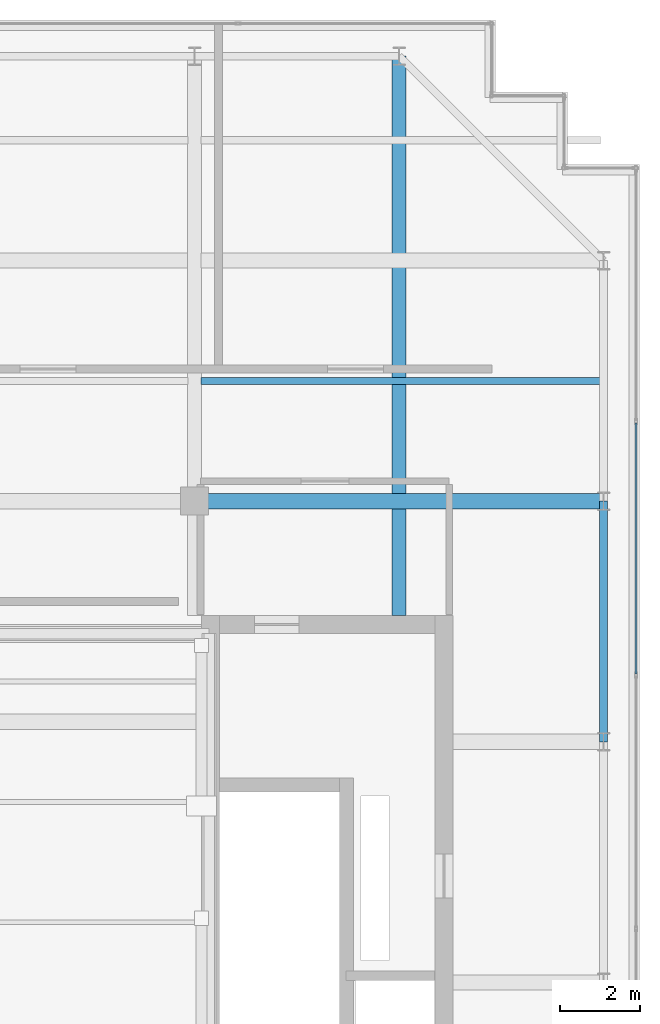
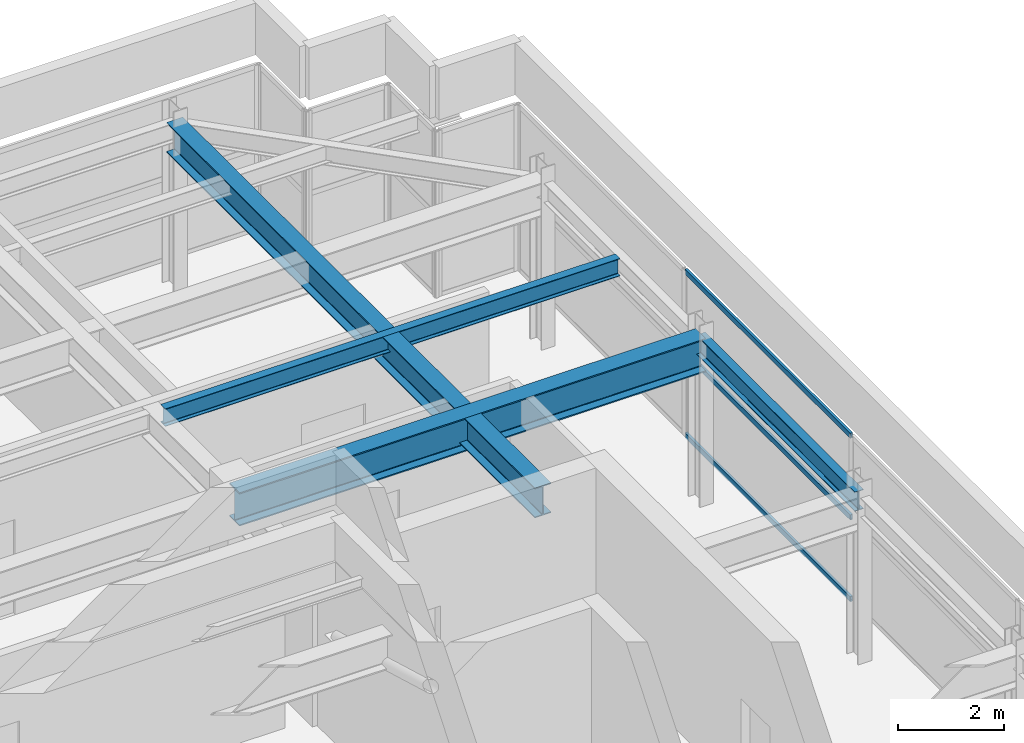
# One storey, part 18 of 33: 4 beams, 3 members, 1 element without a shape of its own.
"""IFC4 building model written with IfcOpenShell, lengths in metres."""

from ifc_helpers import new_model, si_unit, direction, frame, origin, origin_2d, place, context, subcontext, project, spatial, hollow_rectangle, i_section, extrude, source, transform, mapped, material, layer, layer_set, material_profile, profile_set, type_object, element, aggregate, save


model = new_model("IFC4")

# Units and contexts
model_context = context("Model", 3, precision=1e-05, world=origin(), true_north=direction((0.0, 1.0)))
body_context = subcontext(model_context, "Body", "Model", "MODEL_VIEW")
ifc_project = project(units=[si_unit("LENGTHUNIT", "METRE"), si_unit("AREAUNIT", "SQUARE_METRE"), si_unit("VOLUMEUNIT", "CUBIC_METRE"), si_unit("PLANEANGLEUNIT", "RADIAN"), si_unit("MASSUNIT", "GRAM", prefix="KILO")], contexts=[model_context])

# Site, building, storey
site_placement = place(None, origin())
site = spatial("IfcSite", under=ifc_project, at=site_placement, CompositionType="ELEMENT")
building_placement = place(site_placement, origin())
building = spatial("IfcBuilding", under=site, at=building_placement, Name="Khoralis Quay Care Tower", CompositionType="ELEMENT")
storey_placement = place(building_placement, frame((0.0, 0.0, 314.699951171875)))
storey = spatial("IfcBuildingStorey", under=building, at=storey_placement, Name="L82", CompositionType="ELEMENT", Elevation=314.699951171875)

# Beams
ifc_material_1 = material(Name="Steel S355", Category="steel")
ifc_material_profile_1 = material_profile(ifc_material_1, i_section(OverallWidth=0.18994140625, OverallDepth=0.449951171875, WebThickness=0.009521484375, FlangeThickness=0.0146484375, FilletRadius=0.02099609375, at=origin_2d()), Name="Steel S355")
ifc_profile_set_1 = profile_set([ifc_material_profile_1], Name="Steel S355")
beam_type_1 = type_object("IfcBeamType", Name="BM-IPE450", PredefinedType="SPANDREL", material=ifc_profile_set_1)
shared_shape_1 = source(origin(), body_context, "Body", "SweptSolid", [
    extrude(i_section(OverallWidth=0.18994140625, OverallDepth=0.449951171875, WebThickness=0.009521484375, FlangeThickness=0.0146484375, FilletRadius=0.02099609375, at=origin_2d()), origin(), (0.0, 0.0, 1.0), 6.0),
])
beam_1_placement = place(storey_placement, frame((41.10009765625, 24.0, 3.614990234375), z_axis=(0.0, 1.0, 0.0), x_axis=(-1.0, 0.0, 0.0)))
element("IfcBeam", 1, at=beam_1_placement, inside=storey, type_object=beam_type_1, Name="BM-TSP-L82-15", PredefinedType="SPANDREL", context=body_context, shape_type="MappedRepresentation", body=[
    mapped(shared_shape_1, transform((0.0, 0.0, 0.0), scale=1.0)),
])
ifc_material_profile_2 = material_profile(ifc_material_1, i_section(OverallWidth=0.381103515625, OverallDepth=0.77294921875, WebThickness=0.0166015625, FlangeThickness=0.027587890625, FilletRadius=0.02197265625, at=origin_2d()), Name="Steel S355")
ifc_profile_set_2 = profile_set([ifc_material_profile_2], Name="Steel S355")
beam_type_2 = type_object("IfcBeamType", Name="BM-W760X257", PredefinedType="BEAM", material=ifc_profile_set_2)
shared_shape_2 = source(origin(), body_context, "Body", "SweptSolid", [
    extrude(i_section(OverallWidth=0.381103515625, OverallDepth=0.77294921875, WebThickness=0.0166015625, FlangeThickness=0.027587890625, FilletRadius=0.02197265625, at=origin_2d()), origin(), (0.0, 0.0, 1.0), 10.2001953125),
])
beam_2_placement = place(storey_placement, frame((30.89990234375, 30.0, 3.45361328125), z_axis=(1.0, 0.0, 0.0), x_axis=(0.0, 1.0, 0.0)))
element("IfcBeam", 2, at=beam_2_placement, inside=storey, type_object=beam_type_2, Name="BM-TGXE-L82-300", PredefinedType="BEAM", context=body_context, shape_type="MappedRepresentation", body=[
    mapped(shared_shape_2, transform((0.0, 0.0, 0.0), scale=1.0)),
])
ifc_material_profile_3 = material_profile(ifc_material_1, i_section(OverallWidth=0.35498046875, OverallDepth=0.695068359375, WebThickness=0.015380859375, FlangeThickness=0.02490234375, FilletRadius=0.02001953125, at=origin_2d()), Name="Steel S355")
ifc_profile_set_3 = profile_set([ifc_material_profile_3], Name="Steel S355")
beam_type_3 = type_object("IfcBeamType", Name="BM-W690X217", PredefinedType="BEAM", material=ifc_profile_set_3)
shared_shape_3 = source(origin(), body_context, "Body", "SweptSolid", [
    extrude(i_section(OverallWidth=0.35498046875, OverallDepth=0.695068359375, WebThickness=0.015380859375, FlangeThickness=0.02490234375, FilletRadius=0.02001953125, at=origin_2d()), origin(), (0.0, 0.0, 1.0), 13.9521484375),
])
beam_3_placement = place(storey_placement, frame((36.0, 27.14794921875, 3.492431640625), z_axis=(0.0, 1.0, 0.0), x_axis=(-1.0, 0.0, 0.0)))
element("IfcBeam", 3, at=beam_3_placement, inside=storey, type_object=beam_type_3, Name="BM-TGYN-L82-360", PredefinedType="BEAM", context=body_context, shape_type="MappedRepresentation", body=[
    mapped(shared_shape_3, transform((0.0, 0.0, 0.0), scale=1.0)),
])
ifc_material_profile_4 = material_profile(ifc_material_1, i_section(OverallWidth=0.177978515625, OverallDepth=0.406982421875, WebThickness=0.0078125, FlangeThickness=0.0126953125, FilletRadius=0.012939453125, at=origin_2d()), Name="Steel S355")
ifc_profile_set_4 = profile_set([ifc_material_profile_4], Name="Steel S355")
beam_type_4 = type_object("IfcBeamType", Name="BM-W410X60", PredefinedType="JOIST", material=ifc_profile_set_4)
shared_shape_4 = source(origin(), body_context, "Body", "SweptSolid", [
    extrude(i_section(OverallWidth=0.177978515625, OverallDepth=0.406982421875, WebThickness=0.0078125, FlangeThickness=0.0126953125, FilletRadius=0.012939453125, at=origin_2d()), origin(), (0.0, 0.0, 1.0), 9.95361328125),
])
beam_4_placement = place(storey_placement, frame((31.0654296875, 33.0, 3.636474609375), z_axis=(1.0, 0.0, 0.0), x_axis=(0.0, 1.0, 0.0)))
element("IfcBeam", 4, at=beam_4_placement, inside=storey, type_object=beam_type_4, Name="BM-TJS-L82-25", PredefinedType="JOIST", context=body_context, shape_type="MappedRepresentation", body=[
    mapped(shared_shape_4, transform((0.0, 0.0, 0.0), scale=1.0)),
])

# Curtain wall, members
ifc_material_2 = material(Name="Pale anodised aluminium", Category="aluminium")
ifc_layer = layer(ifc_material_2, 0.199951171875)
ifc_layer_set = layer_set([ifc_layer], Name="Pale anodised aluminium")
curtain_wall_type = type_object("IfcCurtainWallType", Name="CW-SYS-LANTERN", PredefinedType="NOTDEFINED", material=ifc_layer_set)
curtain_wall_placement = place(storey_placement, origin())
curtain_wall = element("IfcCurtainWall", 5, at=curtain_wall_placement, inside=storey, type_object=curtain_wall_type, Name="L82 Unitised Curtain Wall CW-LN-L82-06", PredefinedType="NOTDEFINED")
ifc_material_profile_5 = material_profile(ifc_material_2, hollow_rectangle(XDim=0.054931640625, YDim=0.1201171875, WallThickness=0.00390625, at=origin_2d()), Name="Pale anodised aluminium")
ifc_profile_set_5 = profile_set([ifc_material_profile_5], Name="Pale anodised aluminium")
member_type = type_object("IfcMemberType", Name="CW-TRN-120", PredefinedType="USERDEFINED", material=ifc_profile_set_5)
shared_shape_5 = source(origin(), body_context, "Body", "SweptSolid", [
    extrude(hollow_rectangle(XDim=0.054931640625, YDim=0.1201171875, WallThickness=0.00390625, at=origin_2d()), origin(), (0.0, 0.0, 1.0), 6.26416015625),
])
member_1_placement = place(storey_placement, frame((41.909912109375, 25.69189453125, 0.030029296875), z_axis=(0.0, 1.0, 0.0), x_axis=(-1.0, 0.0, 0.0)))
member_1 = element("IfcMember", 6, at=member_1_placement, type_object=member_type, Name="CW5 transom 4.1", ObjectType="TRANSOM", PredefinedType="USERDEFINED", context=body_context, shape_type="MappedRepresentation", body=[
    mapped(shared_shape_5, transform((0.0, 0.0, 0.0), scale=1.0)),
])
member_2_placement = place(storey_placement, frame((41.909912109375, 25.69189453125, 1.920166015625), z_axis=(0.0, 1.0, 0.0), x_axis=(-1.0, 0.0, 0.0)))
member_2 = element("IfcMember", 7, at=member_2_placement, type_object=member_type, Name="CW5 transom 4.2", ObjectType="TRANSOM", PredefinedType="USERDEFINED", context=body_context, shape_type="MappedRepresentation", body=[
    mapped(shared_shape_5, transform((0.0, 0.0, 0.0), scale=1.0)),
])
member_3_placement = place(storey_placement, frame((41.909912109375, 25.69189453125, 3.81005859375), z_axis=(0.0, 1.0, 0.0), x_axis=(-1.0, 0.0, 0.0)))
member_3 = element("IfcMember", 8, at=member_3_placement, type_object=member_type, Name="CW5 transom 4.3", ObjectType="TRANSOM", PredefinedType="USERDEFINED", context=body_context, shape_type="MappedRepresentation", body=[
    mapped(shared_shape_5, transform((0.0, 0.0, 0.0), scale=1.0)),
])
aggregate(curtain_wall, [member_1, member_2, member_3])

save(model, "model.ifc")
